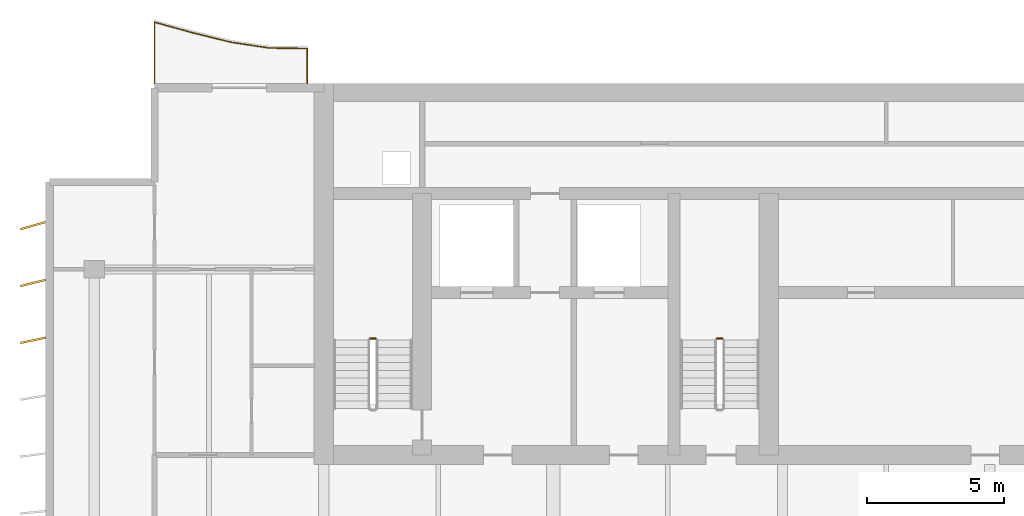
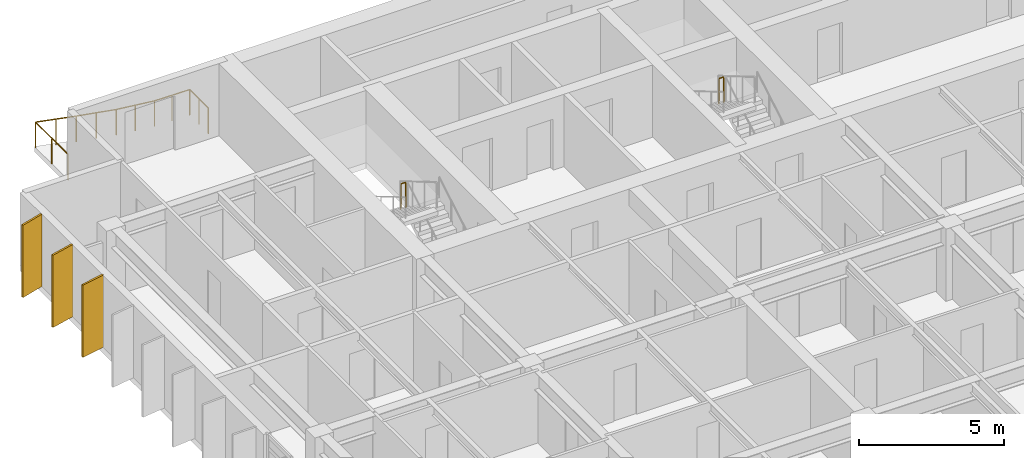
# One storey, part 15 of 16: 3 railings, 3 shading devices.
"""IFC4 building model written with IfcOpenShell, lengths in metres."""

from ifc_helpers import new_model, si_unit, direction, frame, origin, origin_2d, place, context, subcontext, project, spatial, rectangle, circle, extrude, material, material_profile, profile_set, type_object, element, save


model = new_model("IFC4")

# Units and contexts
model_context = context("Model", 3, precision=1e-05, world=origin(), true_north=direction((0.0, 1.0)))
body_context = subcontext(model_context, "Body", "Model", "MODEL_VIEW")
ifc_project = project(units=[si_unit("LENGTHUNIT", "METRE"), si_unit("AREAUNIT", "SQUARE_METRE"), si_unit("VOLUMEUNIT", "CUBIC_METRE"), si_unit("PLANEANGLEUNIT", "RADIAN"), si_unit("MASSUNIT", "GRAM", prefix="KILO")], contexts=[model_context])

# Site, building, storey
site_placement = place(None, origin())
site = spatial("IfcSite", under=ifc_project, at=site_placement, CompositionType="ELEMENT")
building_placement = place(site_placement, origin())
building = spatial("IfcBuilding", under=site, at=building_placement, Name="Caelmar Bay Residences", CompositionType="ELEMENT")
storey_placement = place(building_placement, frame((0.0, 0.0, 239.699951171875)))
storey = spatial("IfcBuildingStorey", under=building, at=storey_placement, Name="L67", CompositionType="ELEMENT", Elevation=239.699951171875)

# Railings
ifc_material_1 = material(Name="Anodised bronze handrail with laminated hurricane glass infill", Category="glass")
railing_type_1 = type_object("IfcRailingType", Name="RL-BAL-1100", PredefinedType="BALUSTRADE", material=ifc_material_1)
railing_placement = place(storey_placement, frame((17.699951171875, 50.60009765625, 0.0)))
element("IfcRailing", 1, at=railing_placement, inside=storey, type_object=railing_type_1, Name="L67 north_west Balcony Balustrade", PredefinedType="BALUSTRADE", context=body_context, shape_type="SweptSolid", body=[
    extrude(circle(Radius=0.02392578125, at=origin_2d()), frame((0.0, 0.0, 1.076171875), z_axis=(0.0, 1.0, 0.0), x_axis=(-1.0, 0.0, 0.0)), (0.0, 0.0, 1.0), 1.286376953125),
    extrude(circle(Radius=0.02392578125, at=origin_2d()), frame((0.0, 1.286376953125, 1.076171875), z_axis=(-0.999895252764, 0.014473544817, 0.0), x_axis=(-0.014473544817, -0.999895252764, 0.0)), (0.0, 0.0, 1.0), 1.400146484375),
    extrude(circle(Radius=0.02392578125, at=origin_2d()), frame((-1.39990234375, 1.306640625, 1.076171875), z_axis=(-0.988790443359, 0.149309943147, 0.0), x_axis=(-0.149309943147, -0.988790443359, 0.0)), (0.0, 0.0, 1.0), 1.416015625),
    extrude(circle(Radius=0.02392578125, at=origin_2d()), frame((-2.800048828125, 1.51806640625, 1.076171875), z_axis=(-0.970796240082, 0.239905523578, 0.0), x_axis=(-0.239905523578, -0.970796240082, 0.0)), (0.0, 0.0, 1.0), 1.44189453125),
    extrude(circle(Radius=0.02392578125, at=origin_2d()), frame((-4.199951171875, 1.864013671875, 1.076171875), z_axis=(-0.963724701315, 0.266898295376, 0.0), x_axis=(-0.266898295376, -0.963724701315, 0.0)), (0.0, 0.0, 1.0), 1.45263671875),
    extrude(circle(Radius=0.02392578125, at=origin_2d()), frame((-5.599853515625, 2.251708984375, 1.076171875), z_axis=(0.0, -1.0, 0.0), x_axis=(1.0, 0.0, 0.0)), (0.0, 0.0, 1.0), 2.251708984375),
    extrude(circle(Radius=0.02099609375, at=origin_2d()), origin(), (0.0, 0.0, 1.0), 1.052001953125),
    extrude(circle(Radius=0.02099609375, at=origin_2d()), frame((0.0, 0.64306640625, 0.0)), (0.0, 0.0, 1.0), 1.052001953125),
    extrude(circle(Radius=0.02099609375, at=origin_2d()), frame((0.0, 1.286376953125, 0.0)), (0.0, 0.0, 1.0), 1.052001953125),
    extrude(circle(Radius=0.02099609375, at=origin_2d()), frame((-0.699951171875, 1.29638671875, 0.0)), (0.0, 0.0, 1.0), 1.052001953125),
    extrude(circle(Radius=0.02099609375, at=origin_2d()), frame((-1.39990234375, 1.306640625, 0.0)), (0.0, 0.0, 1.0), 1.052001953125),
    extrude(circle(Radius=0.02099609375, at=origin_2d()), frame((-2.10009765625, 1.412353515625, 0.0)), (0.0, 0.0, 1.0), 1.052001953125),
    extrude(circle(Radius=0.02099609375, at=origin_2d()), frame((-2.800048828125, 1.51806640625, 0.0)), (0.0, 0.0, 1.0), 1.052001953125),
    extrude(circle(Radius=0.02099609375, at=origin_2d()), frame((-3.5, 1.69091796875, 0.0)), (0.0, 0.0, 1.0), 1.052001953125),
    extrude(circle(Radius=0.02099609375, at=origin_2d()), frame((-4.199951171875, 1.864013671875, 0.0)), (0.0, 0.0, 1.0), 1.052001953125),
    extrude(circle(Radius=0.02099609375, at=origin_2d()), frame((-4.89990234375, 2.057861328125, 0.0)), (0.0, 0.0, 1.0), 1.052001953125),
    extrude(circle(Radius=0.02099609375, at=origin_2d()), frame((-5.599853515625, 2.251708984375, 0.0)), (0.0, 0.0, 1.0), 1.052001953125),
    extrude(circle(Radius=0.02099609375, at=origin_2d()), frame((-5.599853515625, 1.1259765625, 0.0)), (0.0, 0.0, 1.0), 1.052001953125),
    extrude(circle(Radius=0.02099609375, at=origin_2d()), frame((-5.599853515625, 0.0, 0.0)), (0.0, 0.0, 1.0), 1.052001953125),
])
ifc_material_2 = material(Name="Painted galvanized steel stair guard 1100 mm", Category="steel")
railing_type_2 = type_object("IfcRailingType", Name="RL-GRD-1100", PredefinedType="GUARDRAIL", material=ifc_material_2)
for number, where, name in (
    (2, (20.199951171875, 41.27001953125, 1.650146484375), "L67 ST1 stair guard 2"),
    (3, (32.89990234375, 41.27001953125, 1.650146484375), "L67 ST3 stair guard 2"),
):
    element("IfcRailing", number, at=place(storey_placement, frame(where)), inside=storey, type_object=railing_type_2, Name=name, PredefinedType="GUARDRAIL", context=body_context, shape_type="SweptSolid", body=[
        extrude(circle(Radius=0.02392578125, at=origin_2d()), frame((0.0, 0.0, 1.076171875), z_axis=(-1.0, 0.0, 0.0), x_axis=(0.0, -1.0, 0.0)), (0.0, 0.0, 1.0), 0.199951171875),
        extrude(circle(Radius=0.02099609375, at=origin_2d()), origin(), (0.0, 0.0, 1.0), 1.052001953125),
        extrude(circle(Radius=0.02099609375, at=origin_2d()), frame((-0.199951171875, 0.0, 0.0)), (0.0, 0.0, 1.0), 1.052001953125),
    ])

# Shading devices
ifc_material_3 = material(Name="Anodised architectural bronze aluminium 6063-T6", Category="aluminium")
ifc_material_profile = material_profile(ifc_material_3, rectangle(XDim=0.074951171875, YDim=0.949951171875, at=origin_2d()), Name="BRONZE-FIN-75X950")
ifc_profile_set = profile_set([ifc_material_profile], Name="Anodised architectural bronze aluminium 6063-T6")
shading_device_type = type_object("IfcShadingDeviceType", Name="SHD-FIN-950", PredefinedType="USERDEFINED", material=ifc_profile_set)
for number, where, z_axis, x_axis, name in (
    (4, (7.64990234375, 41.199951171875, 0.0), (0.0, 0.0, 1.0), (-0.2032999874, 0.979116497217, 0.0), "L67 West Bronze Solar Fin 14"),
    (5, (7.64990234375, 43.300048828125, 0.0), (0.0, 0.0, 1.0), (-0.239719743609, 0.970842131618, 0.0), "L67 West Bronze Solar Fin 15"),
    (6, (7.64990234375, 45.39990234375, 0.0), (0.0, 0.0, 1.0), (-0.275637355817, 0.961261695938, 0.0), "L67 West Bronze Solar Fin 16"),
):
    element("IfcShadingDevice", number, at=place(storey_placement, frame(where, z_axis=z_axis, x_axis=x_axis)), inside=storey, type_object=shading_device_type, Name=name, ObjectType="FIN", PredefinedType="USERDEFINED", context=body_context, shape_type="SweptSolid", body=[
        extrude(rectangle(XDim=0.074951171875, YDim=0.949951171875, at=origin_2d()), origin(), (0.0, 0.0, 1.0), 3.050048828125),
    ])

save(model, "model.ifc")
